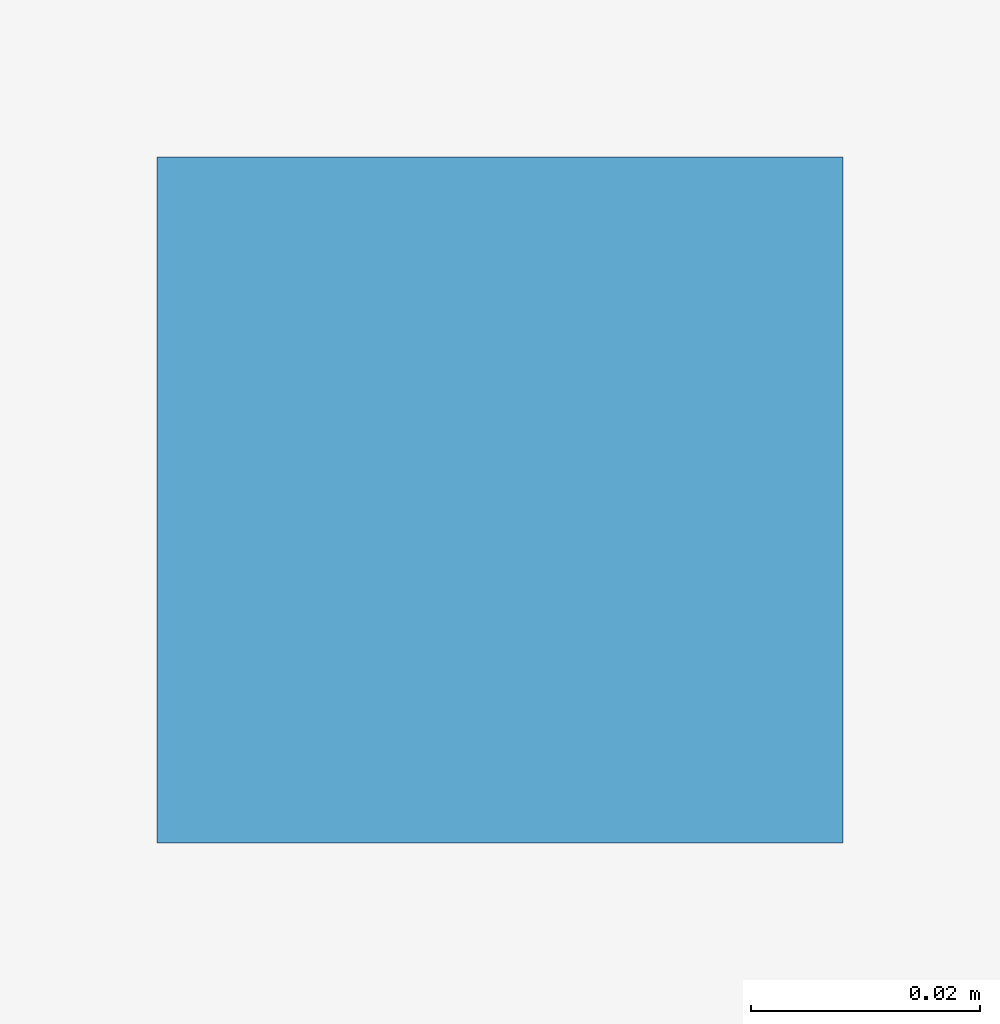
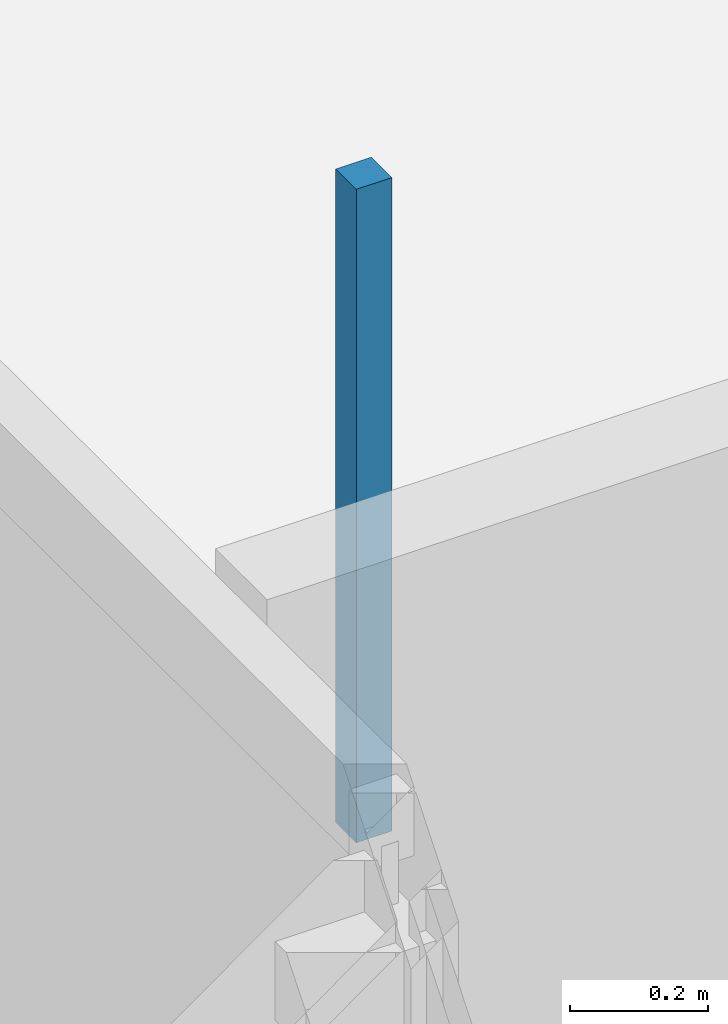
# One storey, part 77 of 110: 1 discrete accessory.
"""IFC4 building model written with IfcOpenShell, lengths in metres."""

from ifc_helpers import new_model, si_unit, direction, frame, origin, place, context, subcontext, project, spatial, polyline, outline, extrude, material, type_object, element, save


model = new_model("IFC4")

# Units and contexts
model_context = context("Model", 3, precision=1e-05, world=origin(), true_north=direction((0.0, 1.0)))
body_context = subcontext(model_context, "Body", "Model", "MODEL_VIEW")
ifc_project = project(units=[si_unit("LENGTHUNIT", "METRE"), si_unit("AREAUNIT", "SQUARE_METRE"), si_unit("VOLUMEUNIT", "CUBIC_METRE"), si_unit("PLANEANGLEUNIT", "RADIAN"), si_unit("MASSUNIT", "GRAM", prefix="KILO")], contexts=[model_context])

# Site, building, storey
site_placement = place(None, origin())
site = spatial("IfcSite", under=ifc_project, at=site_placement, CompositionType="ELEMENT")
building_placement = place(site_placement, origin())
building = spatial("IfcBuilding", under=site, at=building_placement, Name="Dunescarp Central Library", CompositionType="ELEMENT")
storey_placement = place(building_placement, frame((0.0, 0.0, 9.60009765625)))
storey = spatial("IfcBuildingStorey", under=building, at=storey_placement, Name="L02", CompositionType="ELEMENT", Elevation=9.60009765625)

# Discrete accessory
ifc_material = material(Name="Stainless steel Grade 316L", Category="steel")
discrete_accessory_type = type_object("IfcDiscreteAccessoryType", Name="ARC-ACC-BRK", PredefinedType="BRACKET", material=ifc_material)
discrete_accessory_placement = place(storey_placement, frame((0.0, 0.0, 3.059814453125)))
element("IfcDiscreteAccessory", 1, at=discrete_accessory_placement, inside=storey, type_object=discrete_accessory_type, Name="L02 ceiling hanger CLG-L02-131-H1", PredefinedType="BRACKET", context=body_context, shape_type="SweptSolid", body=[
    extrude(outline(polyline([(0.360107421875, 64.820068359375), (0.419921875, 64.820068359375), (0.419921875, 64.8798828125), (0.360107421875, 64.8798828125), (0.360107421875, 64.820068359375)])), origin(), (0.0, 0.0, 1.0), 1.16015625),
])

save(model, "model.ifc")
